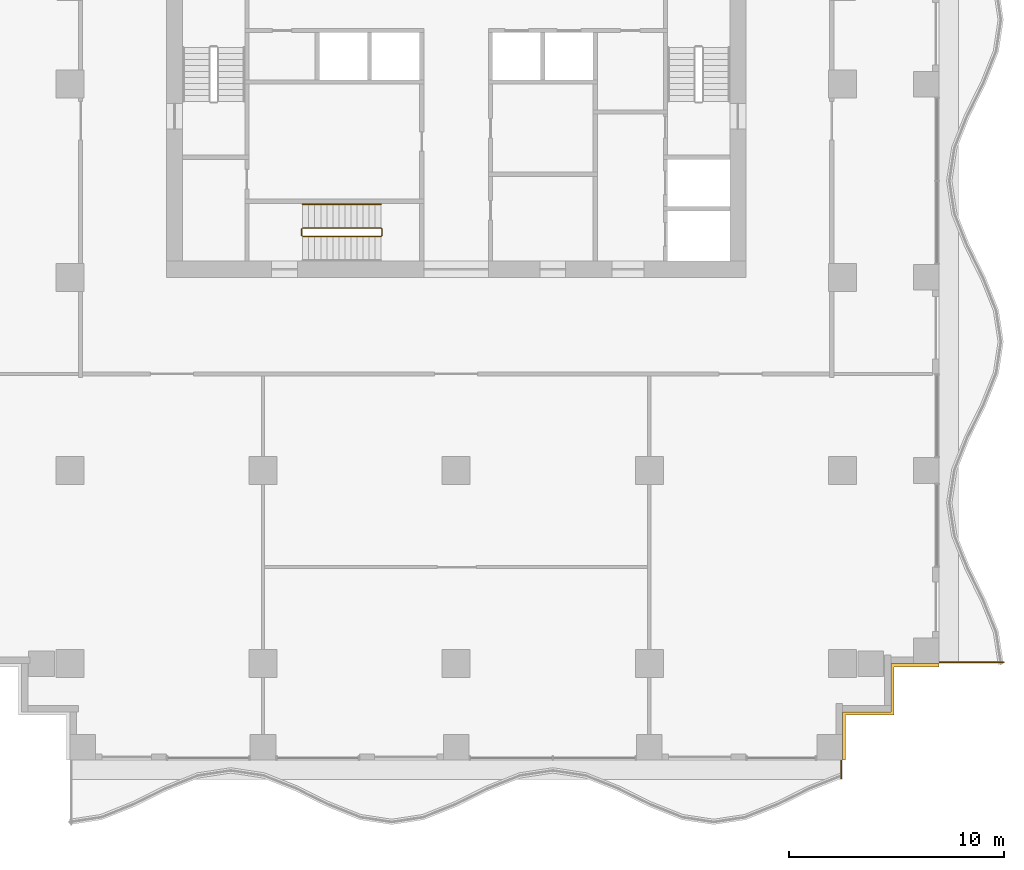
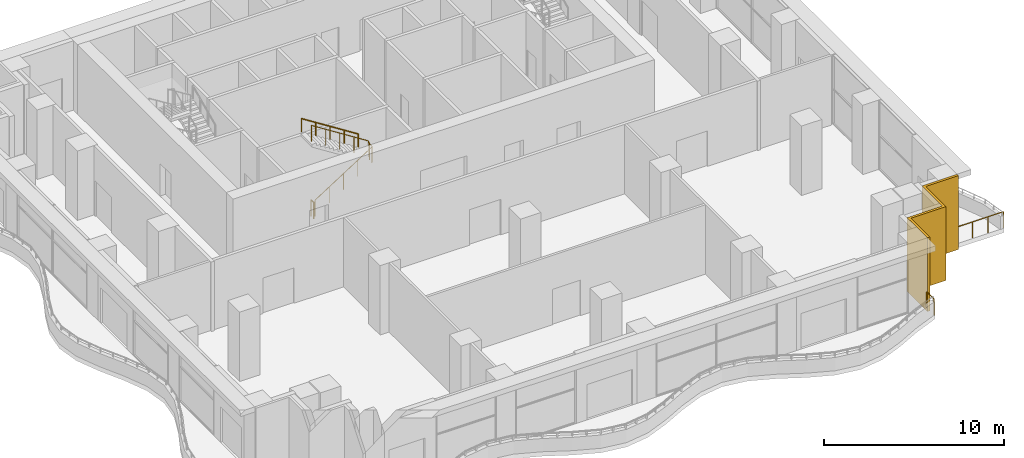
# One storey, part 12 of 14: 5 railings, 1 shading device.
"""IFC4 building model written with IfcOpenShell, lengths in metres."""

from ifc_helpers import new_model, si_unit, direction, frame, origin, origin_2d, place, context, subcontext, project, spatial, polyline, rectangle, circle, outline, extrude, material, layer, layer_set, type_object, element, save


model = new_model("IFC4")

# Units and contexts
model_context = context("Model", 3, precision=1e-05, world=origin(), true_north=direction((0.0, 1.0)))
body_context = subcontext(model_context, "Body", "Model", "MODEL_VIEW")
ifc_project = project(units=[si_unit("LENGTHUNIT", "METRE"), si_unit("AREAUNIT", "SQUARE_METRE"), si_unit("VOLUMEUNIT", "CUBIC_METRE"), si_unit("PLANEANGLEUNIT", "RADIAN"), si_unit("MASSUNIT", "GRAM", prefix="KILO")], contexts=[model_context])

# Site, building, storey
site_placement = place(None, origin())
site = spatial("IfcSite", under=ifc_project, at=site_placement, CompositionType="ELEMENT")
building_placement = place(site_placement, origin())
building = spatial("IfcBuilding", under=site, at=building_placement, Name="Orbiselva Terraces", CompositionType="ELEMENT")
storey_placement = place(building_placement, frame((0.0, 0.0, 120.0)))
storey = spatial("IfcBuildingStorey", under=building, at=storey_placement, Name="L30", CompositionType="ELEMENT", Elevation=120.0)

# Railings
ifc_material_1 = material(Name="Stainless steel", Category="steel")
railing_type_1 = type_object("IfcRailingType", Name="CORE-GUARD-1100", PredefinedType="GUARDRAIL", material=ifc_material_1)
railing_1_placement = place(storey_placement, frame((-7.15, 6.4, 0.178571)))
element("IfcRailing", 1, at=railing_1_placement, inside=storey, type_object=railing_type_1, Name="L30 S3 stair guard 1", PredefinedType="GUARDRAIL", context=body_context, shape_type="SweptSolid", body=[
    extrude(circle(Radius=0.024, at=origin_2d()), frame((0.0, 0.0, 1.081), z_axis=(0.843129645223, 0.0, 0.537710332192), x_axis=(0.0, 1.0, 0.0)), (0.0, 0.0, 1.0), 4.317248),
    extrude(circle(Radius=0.024, at=origin_2d()), frame((3.64, 0.0, 3.402429), z_axis=(0.707106781187, 0.707106781187, 0.0), x_axis=(-0.707106781187, 0.707106781187, 0.0)), (0.0, 0.0, 1.0), 0.070711),
    extrude(circle(Radius=0.024, at=origin_2d()), frame((3.69, 0.05, 3.402429), z_axis=(0.0, 1.0, 0.0), x_axis=(-1.0, 0.0, 0.0)), (0.0, 0.0, 1.0), 0.3),
    extrude(circle(Radius=0.024, at=origin_2d()), frame((3.69, 0.35, 3.402429), z_axis=(-0.260333341268, 0.260333341268, 0.92975970167), x_axis=(-0.707106781187, -0.707106781187, 0.0)), (0.0, 0.0, 1.0), 0.192061),
    extrude(circle(Radius=0.024, at=origin_2d()), frame((3.64, 0.4, 3.581), z_axis=(-0.843129645223, 0.0, 0.537710332192), x_axis=(0.0, -1.0, 0.0)), (0.0, 0.0, 1.0), 4.317248),
    extrude(circle(Radius=0.021, at=origin_2d()), origin(), (0.0, 0.0, 1.0), 1.057),
    extrude(circle(Radius=0.021, at=origin_2d()), frame((0.91, 0.0, 0.580357)), (0.0, 0.0, 1.0), 1.057),
    extrude(circle(Radius=0.021, at=origin_2d()), frame((1.82, 0.0, 1.160714)), (0.0, 0.0, 1.0), 1.057),
    extrude(circle(Radius=0.021, at=origin_2d()), frame((2.73, 0.0, 1.741072)), (0.0, 0.0, 1.0), 1.057),
    extrude(circle(Radius=0.021, at=origin_2d()), frame((3.64, 0.0, 2.321429)), (0.0, 0.0, 1.0), 1.057),
    extrude(circle(Radius=0.021, at=origin_2d()), frame((3.69, 0.05, 2.321429)), (0.0, 0.0, 1.0), 1.057),
    extrude(circle(Radius=0.021, at=origin_2d()), frame((3.69, 0.35, 2.321429)), (0.0, 0.0, 1.0), 1.057),
    extrude(circle(Radius=0.021, at=origin_2d()), frame((3.64, 0.4, 2.5)), (0.0, 0.0, 1.0), 1.057),
    extrude(circle(Radius=0.021, at=origin_2d()), frame((2.73, 0.4, 3.080357)), (0.0, 0.0, 1.0), 1.057),
    extrude(circle(Radius=0.021, at=origin_2d()), frame((1.82, 0.4, 3.660714)), (0.0, 0.0, 1.0), 1.057),
    extrude(circle(Radius=0.021, at=origin_2d()), frame((0.91, 0.4, 4.241072)), (0.0, 0.0, 1.0), 1.057),
    extrude(circle(Radius=0.021, at=origin_2d()), frame((0.0, 0.4, 4.821429)), (0.0, 0.0, 1.0), 1.057),
])
railing_2_placement = place(storey_placement, frame((-7.2, 6.45, 0.0)))
element("IfcRailing", 2, at=railing_2_placement, inside=storey, type_object=railing_type_1, Name="L30 S3 stair guard 2", PredefinedType="GUARDRAIL", context=body_context, shape_type="SweptSolid", body=[
    extrude(circle(Radius=0.024, at=origin_2d()), frame((0.0, 0.0, 1.081), z_axis=(0.0, 1.0, 0.0), x_axis=(-1.0, 0.0, 0.0)), (0.0, 0.0, 1.0), 0.3),
    extrude(circle(Radius=0.021, at=origin_2d()), origin(), (0.0, 0.0, 1.0), 1.057),
    extrude(circle(Radius=0.021, at=origin_2d()), frame((0.0, 0.3, 0.0)), (0.0, 0.0, 1.0), 1.057),
])
railing_type_2 = type_object("IfcRailingType", Name="CORE-HANDRAIL-900", PredefinedType="HANDRAIL", material=ifc_material_1)
railing_3_placement = place(storey_placement, frame((-3.51, 7.9, 2.678571)))
element("IfcRailing", 3, at=railing_3_placement, inside=storey, type_object=railing_type_2, Name="L30 S3 stair handrail 2", PredefinedType="HANDRAIL", context=body_context, shape_type="SweptSolid", body=[
    extrude(circle(Radius=0.024, at=origin_2d()), frame((0.0, 0.0, 0.876), z_axis=(-0.843129645223, 0.0, 0.537710332192), x_axis=(0.0, -1.0, 0.0)), (0.0, 0.0, 1.0), 4.317248),
    extrude(circle(Radius=0.021, at=origin_2d()), origin(), (0.0, 0.0, 1.0), 0.852),
    extrude(circle(Radius=0.021, at=origin_2d()), frame((-0.91, 0.0, 0.580357)), (0.0, 0.0, 1.0), 0.852),
    extrude(circle(Radius=0.021, at=origin_2d()), frame((-1.82, 0.0, 1.160714)), (0.0, 0.0, 1.0), 0.852),
    extrude(circle(Radius=0.021, at=origin_2d()), frame((-2.73, 0.0, 1.741072)), (0.0, 0.0, 1.0), 0.852),
    extrude(circle(Radius=0.021, at=origin_2d()), frame((-3.64, 0.0, 2.321429)), (0.0, 0.0, 1.0), 0.852),
])
ifc_material_2 = material(Name="Stainless steel rail and posts", Category="steel")
railing_type_3 = type_object("IfcRailingType", Name="ENV-GUARD-1105", PredefinedType="BALUSTRADE", material=ifc_material_2)
railing_4_placement = place(storey_placement, frame((17.94, -18.847212, 0.0)))
element("IfcRailing", 4, at=railing_4_placement, inside=storey, type_object=railing_type_3, Name="Balcony end guard L30 S", PredefinedType="BALUSTRADE", context=body_context, shape_type="SweptSolid", body=[
    extrude(outline(polyline([(0.028868, 0.0), (0.014434, 0.025), (-0.014434, 0.025), (-0.028868, 0.0), (-0.014434, -0.025), (0.014434, -0.025), (0.028868, 0.0)])), frame((0.0, 0.0, 1.08), z_axis=(0.0, 1.0, 0.0), x_axis=(-1.0, 0.0, 0.0)), (0.0, 0.0, 1.0), 0.822212),
    extrude(rectangle(XDim=0.05, YDim=0.05, at=origin_2d()), origin(), (0.0, 0.0, 1.0), 1.055),
    extrude(rectangle(XDim=0.05, YDim=0.05, at=origin_2d()), frame((0.0, 0.822212, 0.0)), (0.0, 0.0, 1.0), 1.055),
])
railing_5_placement = place(storey_placement, frame((25.499621, -13.44, 0.0)))
element("IfcRailing", 5, at=railing_5_placement, inside=storey, type_object=railing_type_3, Name="Balcony end guard L30 E", PredefinedType="BALUSTRADE", context=body_context, shape_type="SweptSolid", body=[
    extrude(outline(polyline([(0.028868, 0.0), (0.014434, 0.025), (-0.014434, 0.025), (-0.028868, 0.0), (-0.014434, -0.025), (0.014434, -0.025), (0.028868, 0.0)])), frame((0.0, 0.0, 1.08), z_axis=(-1.0, 0.0, 0.0), x_axis=(0.0, -1.0, 0.0)), (0.0, 0.0, 1.0), 2.974621),
    extrude(rectangle(XDim=0.05, YDim=0.05, at=origin_2d()), origin(), (0.0, 0.0, 1.0), 1.055),
    extrude(rectangle(XDim=0.05, YDim=0.05, at=origin_2d()), frame((-0.99154, 0.0, 0.0)), (0.0, 0.0, 1.0), 1.055),
    extrude(rectangle(XDim=0.05, YDim=0.05, at=origin_2d()), frame((-1.983081, 0.0, 0.0)), (0.0, 0.0, 1.0), 1.055),
    extrude(rectangle(XDim=0.05, YDim=0.05, at=origin_2d()), frame((-2.974621, 0.0, 0.0)), (0.0, 0.0, 1.0), 1.055),
])

# Shading device
ifc_material_3 = material(Name="Terracotta louvre screen", Category="masonry")
ifc_layer = layer(ifc_material_3, 0.15)
ifc_layer_set = layer_set([ifc_layer], Name="Terracotta louvre screen")
shading_device_type = type_object("IfcShadingDeviceType", Name="ENV-SCREEN-150", PredefinedType="USERDEFINED", material=ifc_layer_set)
shading_device_placement = place(storey_placement, frame((0.0, 0.0, -0.3)))
element("IfcShadingDevice", 6, at=shading_device_placement, inside=storey, type_object=shading_device_type, Name="Louvre screen L30 SE", ObjectType="SCREEN", PredefinedType="USERDEFINED", context=body_context, shape_type="SweptSolid", body=[
    extrude(outline(polyline([(18.15, -18.0), (18.15, -15.9), (20.4, -15.9), (20.4, -13.65), (22.5, -13.65), (22.5, -13.5), (20.25, -13.5), (20.25, -15.75), (18.0, -15.75), (18.0, -18.0), (18.15, -18.0)])), origin(), (0.0, 0.0, 1.0), 5.0),
])

save(model, "model.ifc")
